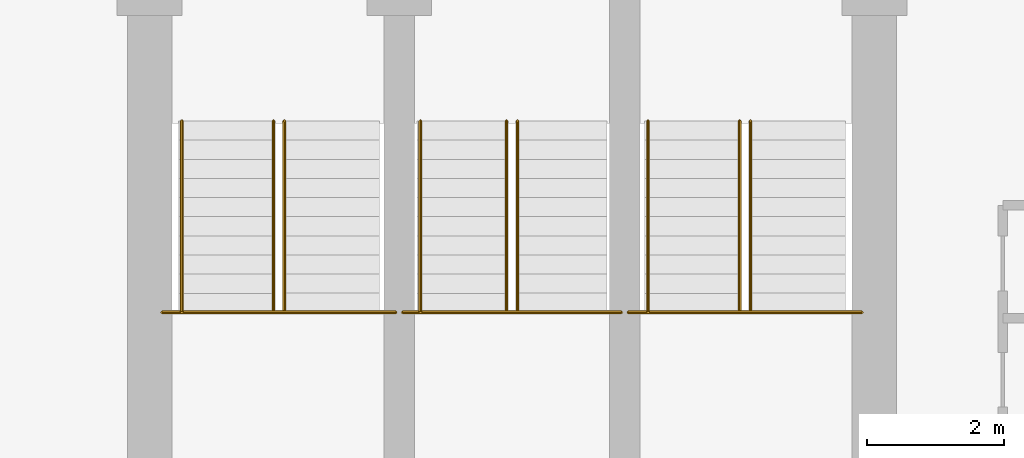
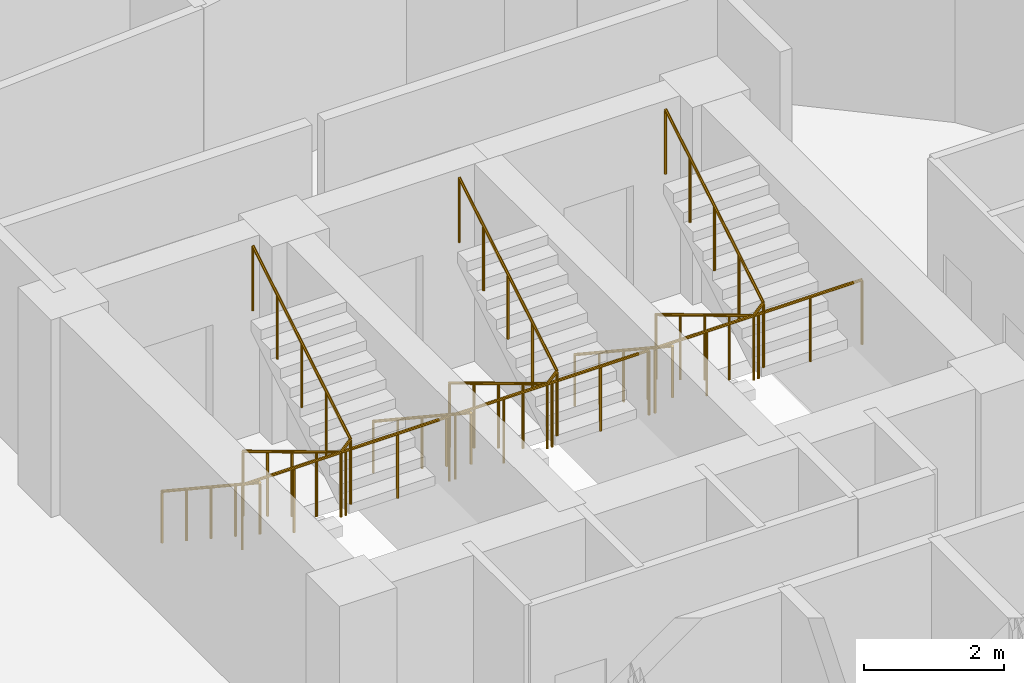
# One storey, part 26 of 26: 9 railings.
"""IFC4 building model written with IfcOpenShell, lengths in metres."""

from ifc_helpers import new_model, si_unit, direction, frame, origin, place, context, subcontext, project, spatial, polyline, outline, extrude, material, type_object, element, save


model = new_model("IFC4")

# Units and contexts
model_context = context("Model", 3, precision=1e-05, world=origin(), true_north=direction((0.0, 1.0)))
body_context = subcontext(model_context, "Body", "Model", "MODEL_VIEW")
ifc_project = project(units=[si_unit("LENGTHUNIT", "METRE"), si_unit("AREAUNIT", "SQUARE_METRE"), si_unit("VOLUMEUNIT", "CUBIC_METRE"), si_unit("PLANEANGLEUNIT", "RADIAN"), si_unit("MASSUNIT", "GRAM", prefix="KILO")], contexts=[model_context])

# Site, building, storey
site_placement = place(None, origin())
site = spatial("IfcSite", under=ifc_project, at=site_placement, CompositionType="ELEMENT")
building_placement = place(site_placement, origin())
building = spatial("IfcBuilding", under=site, at=building_placement, Name="Nuhasar Tower", CompositionType="ELEMENT")
storey_placement = place(building_placement, frame((0.0, 0.0, 136.75)))
storey = spatial("IfcBuildingStorey", under=building, at=storey_placement, Name="L32", CompositionType="ELEMENT", Elevation=136.75)

# Railings
ifc_material_1 = material(Name="Steel S355", Category="steel")
railing_type_1 = type_object("IfcRailingType", Name="RLG-STAIR-GUARD-1150", PredefinedType="GUARDRAIL", material=ifc_material_1)
railing_1_placement = place(storey_placement, frame((33.8798828125, 32.485107421875, 1.85009765625)))
element("IfcRailing", 1, at=railing_1_placement, inside=storey, type_object=railing_type_1, Name="L32 Stair ST-01 Guardrail LND", PredefinedType="GUARDRAIL", context=body_context, shape_type="SweptSolid", body=[
    extrude(outline(polyline([(0.024169921875, 0.0), (0.01708984375, 0.01708984375), (0.0, 0.024169921875), (-0.01708984375, 0.01708984375), (-0.024169921875, 0.0), (-0.01708984375, -0.01708984375), (0.0, -0.024169921875), (0.01708984375, -0.01708984375), (0.024169921875, 0.0)])), frame((0.0, 0.0, 1.1259765625), z_axis=(1.0, 0.0, 0.0), x_axis=(0.0, 1.0, 0.0)), (0.0, 0.0, 1.0), 3.420166015625),
    extrude(outline(polyline([(0.02099609375, 0.0), (0.014892578125, 0.014892578125), (0.0, 0.02099609375), (-0.014892578125, 0.014892578125), (-0.02099609375, 0.0), (-0.014892578125, -0.014892578125), (0.0, -0.02099609375), (0.014892578125, -0.014892578125), (0.02099609375, 0.0)])), origin(), (0.0, 0.0, 1.0), 1.101806640625),
    extrude(outline(polyline([(0.02099609375, 0.0), (0.014892578125, 0.014892578125), (0.0, 0.02099609375), (-0.014892578125, 0.014892578125), (-0.02099609375, 0.0), (-0.014892578125, -0.014892578125), (0.0, -0.02099609375), (0.014892578125, -0.014892578125), (0.02099609375, 0.0)])), frame((0.85498046875, 0.0, 0.0)), (0.0, 0.0, 1.0), 1.101806640625),
    extrude(outline(polyline([(0.02099609375, 0.0), (0.014892578125, 0.014892578125), (0.0, 0.02099609375), (-0.014892578125, 0.014892578125), (-0.02099609375, 0.0), (-0.014892578125, -0.014892578125), (0.0, -0.02099609375), (0.014892578125, -0.014892578125), (0.02099609375, 0.0)])), frame((1.7099609375, 0.0, 0.0)), (0.0, 0.0, 1.0), 1.101806640625),
    extrude(outline(polyline([(0.02099609375, 0.0), (0.014892578125, 0.014892578125), (0.0, 0.02099609375), (-0.014892578125, 0.014892578125), (-0.02099609375, 0.0), (-0.014892578125, -0.014892578125), (0.0, -0.02099609375), (0.014892578125, -0.014892578125), (0.02099609375, 0.0)])), frame((2.565185546875, 0.0, 0.0)), (0.0, 0.0, 1.0), 1.101806640625),
    extrude(outline(polyline([(0.02099609375, 0.0), (0.014892578125, 0.014892578125), (0.0, 0.02099609375), (-0.014892578125, 0.014892578125), (-0.02099609375, 0.0), (-0.014892578125, -0.014892578125), (0.0, -0.02099609375), (0.014892578125, -0.014892578125), (0.02099609375, 0.0)])), frame((3.420166015625, 0.0, 0.0)), (0.0, 0.0, 1.0), 1.101806640625),
])
railing_2_placement = place(storey_placement, frame((35.510009765625, 35.284912109375, 0.16796875)))
element("IfcRailing", 2, at=railing_2_placement, inside=storey, type_object=railing_type_1, Name="L32 Stair ST-01 Guardrail SLT", PredefinedType="GUARDRAIL", context=body_context, shape_type="SweptSolid", body=[
    extrude(outline(polyline([(0.024169921875, 0.0), (0.01708984375, 0.01708984375), (0.0, 0.024169921875), (-0.01708984375, 0.01708984375), (-0.024169921875, 0.0), (-0.01708984375, -0.01708984375), (0.0, -0.024169921875), (0.01708984375, -0.01708984375), (0.024169921875, 0.0)])), frame((0.0, 0.0, 1.1259765625), z_axis=(0.0, -0.857189395008, 0.515001302023), x_axis=(1.0, 0.0, 0.0)), (0.0, 0.0, 1.0), 3.266357421875),
    extrude(outline(polyline([(0.024169921875, 0.0), (0.01708984375, 0.01708984375), (0.0, 0.024169921875), (-0.01708984375, 0.01708984375), (-0.024169921875, 0.0), (-0.01708984375, -0.01708984375), (0.0, -0.024169921875), (0.01708984375, -0.01708984375), (0.024169921875, 0.0)])), frame((0.0, -2.7998046875, 2.80810546875), z_axis=(0.689523729023, 0.0, 0.72426309247), x_axis=(0.0, 1.0, 0.0)), (0.0, 0.0, 1.0), 0.23193359375),
    extrude(outline(polyline([(0.024169921875, 0.0), (0.01708984375, 0.01708984375), (0.0, 0.024169921875), (-0.01708984375, 0.01708984375), (-0.024169921875, 0.0), (-0.01708984375, -0.01708984375), (0.0, -0.024169921875), (0.01708984375, -0.01708984375), (0.024169921875, 0.0)])), frame((0.159912109375, -2.7998046875, 2.97607421875), z_axis=(0.0, 0.857222391501, 0.514946377315), x_axis=(-1.0, 0.0, 0.0)), (0.0, 0.0, 1.0), 3.26611328125),
    extrude(outline(polyline([(0.02099609375, 0.0), (0.014892578125, 0.014892578125), (0.0, 0.02099609375), (-0.014892578125, 0.014892578125), (-0.02099609375, 0.0), (-0.014892578125, -0.014892578125), (0.0, -0.02099609375), (0.014892578125, -0.014892578125), (0.02099609375, 0.0)])), origin(), (0.0, 0.0, 1.0), 1.101806640625),
    extrude(outline(polyline([(0.02099609375, 0.0), (0.014892578125, 0.014892578125), (0.0, 0.02099609375), (-0.014892578125, 0.014892578125), (-0.02099609375, 0.0), (-0.014892578125, -0.014892578125), (0.0, -0.02099609375), (0.014892578125, -0.014892578125), (0.02099609375, 0.0)])), frame((0.0, -0.699951171875, 0.42041015625)), (0.0, 0.0, 1.0), 1.101806640625),
    extrude(outline(polyline([(0.02099609375, 0.0), (0.014892578125, 0.014892578125), (0.0, 0.02099609375), (-0.014892578125, 0.014892578125), (-0.02099609375, 0.0), (-0.014892578125, -0.014892578125), (0.0, -0.02099609375), (0.014892578125, -0.014892578125), (0.02099609375, 0.0)])), frame((0.0, -1.39990234375, 0.841064453125)), (0.0, 0.0, 1.0), 1.101806640625),
    extrude(outline(polyline([(0.02099609375, 0.0), (0.014892578125, 0.014892578125), (0.0, 0.02099609375), (-0.014892578125, 0.014892578125), (-0.02099609375, 0.0), (-0.014892578125, -0.014892578125), (0.0, -0.02099609375), (0.014892578125, -0.014892578125), (0.02099609375, 0.0)])), frame((0.0, -2.099853515625, 1.26171875)), (0.0, 0.0, 1.0), 1.101806640625),
    extrude(outline(polyline([(0.02099609375, 0.0), (0.014892578125, 0.014892578125), (0.0, 0.02099609375), (-0.014892578125, 0.014892578125), (-0.02099609375, 0.0), (-0.014892578125, -0.014892578125), (0.0, -0.02099609375), (0.014892578125, -0.014892578125), (0.02099609375, 0.0)])), frame((0.0, -2.7998046875, 1.68212890625)), (0.0, 0.0, 1.0), 1.101806640625),
    extrude(outline(polyline([(0.02099609375, 0.0), (0.014892578125, 0.014892578125), (0.0, 0.02099609375), (-0.014892578125, 0.014892578125), (-0.02099609375, 0.0), (-0.014892578125, -0.014892578125), (0.0, -0.02099609375), (0.014892578125, -0.014892578125), (0.02099609375, 0.0)])), frame((0.159912109375, -2.7998046875, 1.85009765625)), (0.0, 0.0, 1.0), 1.101806640625),
    extrude(outline(polyline([(0.02099609375, 0.0), (0.014892578125, 0.014892578125), (0.0, 0.02099609375), (-0.014892578125, 0.014892578125), (-0.02099609375, 0.0), (-0.014892578125, -0.014892578125), (0.0, -0.02099609375), (0.014892578125, -0.014892578125), (0.02099609375, 0.0)])), frame((0.159912109375, -2.099853515625, 2.2705078125)), (0.0, 0.0, 1.0), 1.101806640625),
    extrude(outline(polyline([(0.02099609375, 0.0), (0.014892578125, 0.014892578125), (0.0, 0.02099609375), (-0.014892578125, 0.014892578125), (-0.02099609375, 0.0), (-0.014892578125, -0.014892578125), (0.0, -0.02099609375), (0.014892578125, -0.014892578125), (0.02099609375, 0.0)])), frame((0.159912109375, -1.39990234375, 2.69091796875)), (0.0, 0.0, 1.0), 1.101806640625),
    extrude(outline(polyline([(0.02099609375, 0.0), (0.014892578125, 0.014892578125), (0.0, 0.02099609375), (-0.014892578125, 0.014892578125), (-0.02099609375, 0.0), (-0.014892578125, -0.014892578125), (0.0, -0.02099609375), (0.014892578125, -0.014892578125), (0.02099609375, 0.0)])), frame((0.159912109375, -0.699951171875, 3.111572265625)), (0.0, 0.0, 1.0), 1.101806640625),
    extrude(outline(polyline([(0.02099609375, 0.0), (0.014892578125, 0.014892578125), (0.0, 0.02099609375), (-0.014892578125, 0.014892578125), (-0.02099609375, 0.0), (-0.014892578125, -0.014892578125), (0.0, -0.02099609375), (0.014892578125, -0.014892578125), (0.02099609375, 0.0)])), frame((0.159912109375, 0.0, 3.531982421875)), (0.0, 0.0, 1.0), 1.101806640625),
])
railing_3_placement = place(storey_placement, frame((37.39990234375, 32.485107421875, 1.85009765625)))
element("IfcRailing", 3, at=railing_3_placement, inside=storey, type_object=railing_type_1, Name="L32 Stair ST-03 Guardrail LND", PredefinedType="GUARDRAIL", context=body_context, shape_type="SweptSolid", body=[
    extrude(outline(polyline([(0.024169921875, 0.0), (0.01708984375, 0.01708984375), (0.0, 0.024169921875), (-0.01708984375, 0.01708984375), (-0.024169921875, 0.0), (-0.01708984375, -0.01708984375), (0.0, -0.024169921875), (0.01708984375, -0.01708984375), (0.024169921875, 0.0)])), frame((0.0, 0.0, 1.1259765625), z_axis=(1.0, 0.0, 0.0), x_axis=(0.0, 1.0, 0.0)), (0.0, 0.0, 1.0), 3.2001953125),
    extrude(outline(polyline([(0.02099609375, 0.0), (0.014892578125, 0.014892578125), (0.0, 0.02099609375), (-0.014892578125, 0.014892578125), (-0.02099609375, 0.0), (-0.014892578125, -0.014892578125), (0.0, -0.02099609375), (0.014892578125, -0.014892578125), (0.02099609375, 0.0)])), origin(), (0.0, 0.0, 1.0), 1.101806640625),
    extrude(outline(polyline([(0.02099609375, 0.0), (0.014892578125, 0.014892578125), (0.0, 0.02099609375), (-0.014892578125, 0.014892578125), (-0.02099609375, 0.0), (-0.014892578125, -0.014892578125), (0.0, -0.02099609375), (0.014892578125, -0.014892578125), (0.02099609375, 0.0)])), frame((0.800048828125, 0.0, 0.0)), (0.0, 0.0, 1.0), 1.101806640625),
    extrude(outline(polyline([(0.02099609375, 0.0), (0.014892578125, 0.014892578125), (0.0, 0.02099609375), (-0.014892578125, 0.014892578125), (-0.02099609375, 0.0), (-0.014892578125, -0.014892578125), (0.0, -0.02099609375), (0.014892578125, -0.014892578125), (0.02099609375, 0.0)])), frame((1.60009765625, 0.0, 0.0)), (0.0, 0.0, 1.0), 1.101806640625),
    extrude(outline(polyline([(0.02099609375, 0.0), (0.014892578125, 0.014892578125), (0.0, 0.02099609375), (-0.014892578125, 0.014892578125), (-0.02099609375, 0.0), (-0.014892578125, -0.014892578125), (0.0, -0.02099609375), (0.014892578125, -0.014892578125), (0.02099609375, 0.0)])), frame((2.400146484375, 0.0, 0.0)), (0.0, 0.0, 1.0), 1.101806640625),
    extrude(outline(polyline([(0.02099609375, 0.0), (0.014892578125, 0.014892578125), (0.0, 0.02099609375), (-0.014892578125, 0.014892578125), (-0.02099609375, 0.0), (-0.014892578125, -0.014892578125), (0.0, -0.02099609375), (0.014892578125, -0.014892578125), (0.02099609375, 0.0)])), frame((3.2001953125, 0.0, 0.0)), (0.0, 0.0, 1.0), 1.101806640625),
])
railing_4_placement = place(storey_placement, frame((38.919921875, 35.284912109375, 0.16796875)))
element("IfcRailing", 4, at=railing_4_placement, inside=storey, type_object=railing_type_1, Name="L32 Stair ST-03 Guardrail SLT", PredefinedType="GUARDRAIL", context=body_context, shape_type="SweptSolid", body=[
    extrude(outline(polyline([(0.024169921875, 0.0), (0.01708984375, 0.01708984375), (0.0, 0.024169921875), (-0.01708984375, 0.01708984375), (-0.024169921875, 0.0), (-0.01708984375, -0.01708984375), (0.0, -0.024169921875), (0.01708984375, -0.01708984375), (0.024169921875, 0.0)])), frame((0.0, 0.0, 1.1259765625), z_axis=(0.0, -0.857189395008, 0.515001302023), x_axis=(1.0, 0.0, 0.0)), (0.0, 0.0, 1.0), 3.266357421875),
    extrude(outline(polyline([(0.024169921875, 0.0), (0.01708984375, 0.01708984375), (0.0, 0.024169921875), (-0.01708984375, 0.01708984375), (-0.024169921875, 0.0), (-0.01708984375, -0.01708984375), (0.0, -0.024169921875), (0.01708984375, -0.01708984375), (0.024169921875, 0.0)])), frame((0.0, -2.7998046875, 2.80810546875), z_axis=(0.690075333573, 0.0, 0.723737544967), x_axis=(0.0, 1.0, 0.0)), (0.0, 0.0, 1.0), 0.232177734375),
    extrude(outline(polyline([(0.024169921875, 0.0), (0.01708984375, 0.01708984375), (0.0, 0.024169921875), (-0.01708984375, 0.01708984375), (-0.024169921875, 0.0), (-0.01708984375, -0.01708984375), (0.0, -0.024169921875), (0.01708984375, -0.01708984375), (0.024169921875, 0.0)])), frame((0.16015625, -2.7998046875, 2.97607421875), z_axis=(0.0, 0.857222391501, 0.514946377315), x_axis=(-1.0, 0.0, 0.0)), (0.0, 0.0, 1.0), 3.26611328125),
    extrude(outline(polyline([(0.02099609375, 0.0), (0.014892578125, 0.014892578125), (0.0, 0.02099609375), (-0.014892578125, 0.014892578125), (-0.02099609375, 0.0), (-0.014892578125, -0.014892578125), (0.0, -0.02099609375), (0.014892578125, -0.014892578125), (0.02099609375, 0.0)])), origin(), (0.0, 0.0, 1.0), 1.101806640625),
    extrude(outline(polyline([(0.02099609375, 0.0), (0.014892578125, 0.014892578125), (0.0, 0.02099609375), (-0.014892578125, 0.014892578125), (-0.02099609375, 0.0), (-0.014892578125, -0.014892578125), (0.0, -0.02099609375), (0.014892578125, -0.014892578125), (0.02099609375, 0.0)])), frame((0.0, -0.699951171875, 0.42041015625)), (0.0, 0.0, 1.0), 1.101806640625),
    extrude(outline(polyline([(0.02099609375, 0.0), (0.014892578125, 0.014892578125), (0.0, 0.02099609375), (-0.014892578125, 0.014892578125), (-0.02099609375, 0.0), (-0.014892578125, -0.014892578125), (0.0, -0.02099609375), (0.014892578125, -0.014892578125), (0.02099609375, 0.0)])), frame((0.0, -1.39990234375, 0.841064453125)), (0.0, 0.0, 1.0), 1.101806640625),
    extrude(outline(polyline([(0.02099609375, 0.0), (0.014892578125, 0.014892578125), (0.0, 0.02099609375), (-0.014892578125, 0.014892578125), (-0.02099609375, 0.0), (-0.014892578125, -0.014892578125), (0.0, -0.02099609375), (0.014892578125, -0.014892578125), (0.02099609375, 0.0)])), frame((0.0, -2.099853515625, 1.26171875)), (0.0, 0.0, 1.0), 1.101806640625),
    extrude(outline(polyline([(0.02099609375, 0.0), (0.014892578125, 0.014892578125), (0.0, 0.02099609375), (-0.014892578125, 0.014892578125), (-0.02099609375, 0.0), (-0.014892578125, -0.014892578125), (0.0, -0.02099609375), (0.014892578125, -0.014892578125), (0.02099609375, 0.0)])), frame((0.0, -2.7998046875, 1.68212890625)), (0.0, 0.0, 1.0), 1.101806640625),
    extrude(outline(polyline([(0.02099609375, 0.0), (0.014892578125, 0.014892578125), (0.0, 0.02099609375), (-0.014892578125, 0.014892578125), (-0.02099609375, 0.0), (-0.014892578125, -0.014892578125), (0.0, -0.02099609375), (0.014892578125, -0.014892578125), (0.02099609375, 0.0)])), frame((0.16015625, -2.7998046875, 1.85009765625)), (0.0, 0.0, 1.0), 1.101806640625),
    extrude(outline(polyline([(0.02099609375, 0.0), (0.014892578125, 0.014892578125), (0.0, 0.02099609375), (-0.014892578125, 0.014892578125), (-0.02099609375, 0.0), (-0.014892578125, -0.014892578125), (0.0, -0.02099609375), (0.014892578125, -0.014892578125), (0.02099609375, 0.0)])), frame((0.16015625, -2.099853515625, 2.2705078125)), (0.0, 0.0, 1.0), 1.101806640625),
    extrude(outline(polyline([(0.02099609375, 0.0), (0.014892578125, 0.014892578125), (0.0, 0.02099609375), (-0.014892578125, 0.014892578125), (-0.02099609375, 0.0), (-0.014892578125, -0.014892578125), (0.0, -0.02099609375), (0.014892578125, -0.014892578125), (0.02099609375, 0.0)])), frame((0.16015625, -1.39990234375, 2.69091796875)), (0.0, 0.0, 1.0), 1.101806640625),
    extrude(outline(polyline([(0.02099609375, 0.0), (0.014892578125, 0.014892578125), (0.0, 0.02099609375), (-0.014892578125, 0.014892578125), (-0.02099609375, 0.0), (-0.014892578125, -0.014892578125), (0.0, -0.02099609375), (0.014892578125, -0.014892578125), (0.02099609375, 0.0)])), frame((0.16015625, -0.699951171875, 3.111572265625)), (0.0, 0.0, 1.0), 1.101806640625),
    extrude(outline(polyline([(0.02099609375, 0.0), (0.014892578125, 0.014892578125), (0.0, 0.02099609375), (-0.014892578125, 0.014892578125), (-0.02099609375, 0.0), (-0.014892578125, -0.014892578125), (0.0, -0.02099609375), (0.014892578125, -0.014892578125), (0.02099609375, 0.0)])), frame((0.16015625, 0.0, 3.531982421875)), (0.0, 0.0, 1.0), 1.101806640625),
])
railing_5_placement = place(storey_placement, frame((40.699951171875, 32.485107421875, 1.85009765625)))
element("IfcRailing", 5, at=railing_5_placement, inside=storey, type_object=railing_type_1, Name="L32 Stair ST-02 Guardrail LND", PredefinedType="GUARDRAIL", context=body_context, shape_type="SweptSolid", body=[
    extrude(outline(polyline([(0.024169921875, 0.0), (0.01708984375, 0.01708984375), (0.0, 0.024169921875), (-0.01708984375, 0.01708984375), (-0.024169921875, 0.0), (-0.01708984375, -0.01708984375), (0.0, -0.024169921875), (0.01708984375, -0.01708984375), (0.024169921875, 0.0)])), frame((0.0, 0.0, 1.1259765625), z_axis=(1.0, 0.0, 0.0), x_axis=(0.0, 1.0, 0.0)), (0.0, 0.0, 1.0), 3.420166015625),
    extrude(outline(polyline([(0.02099609375, 0.0), (0.014892578125, 0.014892578125), (0.0, 0.02099609375), (-0.014892578125, 0.014892578125), (-0.02099609375, 0.0), (-0.014892578125, -0.014892578125), (0.0, -0.02099609375), (0.014892578125, -0.014892578125), (0.02099609375, 0.0)])), origin(), (0.0, 0.0, 1.0), 1.101806640625),
    extrude(outline(polyline([(0.02099609375, 0.0), (0.014892578125, 0.014892578125), (0.0, 0.02099609375), (-0.014892578125, 0.014892578125), (-0.02099609375, 0.0), (-0.014892578125, -0.014892578125), (0.0, -0.02099609375), (0.014892578125, -0.014892578125), (0.02099609375, 0.0)])), frame((0.85498046875, 0.0, 0.0)), (0.0, 0.0, 1.0), 1.101806640625),
    extrude(outline(polyline([(0.02099609375, 0.0), (0.014892578125, 0.014892578125), (0.0, 0.02099609375), (-0.014892578125, 0.014892578125), (-0.02099609375, 0.0), (-0.014892578125, -0.014892578125), (0.0, -0.02099609375), (0.014892578125, -0.014892578125), (0.02099609375, 0.0)])), frame((1.7099609375, 0.0, 0.0)), (0.0, 0.0, 1.0), 1.101806640625),
    extrude(outline(polyline([(0.02099609375, 0.0), (0.014892578125, 0.014892578125), (0.0, 0.02099609375), (-0.014892578125, 0.014892578125), (-0.02099609375, 0.0), (-0.014892578125, -0.014892578125), (0.0, -0.02099609375), (0.014892578125, -0.014892578125), (0.02099609375, 0.0)])), frame((2.565185546875, 0.0, 0.0)), (0.0, 0.0, 1.0), 1.101806640625),
    extrude(outline(polyline([(0.02099609375, 0.0), (0.014892578125, 0.014892578125), (0.0, 0.02099609375), (-0.014892578125, 0.014892578125), (-0.02099609375, 0.0), (-0.014892578125, -0.014892578125), (0.0, -0.02099609375), (0.014892578125, -0.014892578125), (0.02099609375, 0.0)])), frame((3.420166015625, 0.0, 0.0)), (0.0, 0.0, 1.0), 1.101806640625),
])
railing_6_placement = place(storey_placement, frame((42.330078125, 35.284912109375, 0.16796875)))
element("IfcRailing", 6, at=railing_6_placement, inside=storey, type_object=railing_type_1, Name="L32 Stair ST-02 Guardrail SLT", PredefinedType="GUARDRAIL", context=body_context, shape_type="SweptSolid", body=[
    extrude(outline(polyline([(0.024169921875, 0.0), (0.01708984375, 0.01708984375), (0.0, 0.024169921875), (-0.01708984375, 0.01708984375), (-0.024169921875, 0.0), (-0.01708984375, -0.01708984375), (0.0, -0.024169921875), (0.01708984375, -0.01708984375), (0.024169921875, 0.0)])), frame((0.0, 0.0, 1.1259765625), z_axis=(0.0, -0.857189395008, 0.515001302023), x_axis=(1.0, 0.0, 0.0)), (0.0, 0.0, 1.0), 3.266357421875),
    extrude(outline(polyline([(0.024169921875, 0.0), (0.01708984375, 0.01708984375), (0.0, 0.024169921875), (-0.01708984375, 0.01708984375), (-0.024169921875, 0.0), (-0.01708984375, -0.01708984375), (0.0, -0.024169921875), (0.01708984375, -0.01708984375), (0.024169921875, 0.0)])), frame((0.0, -2.7998046875, 2.80810546875), z_axis=(0.689523729023, 0.0, 0.72426309247), x_axis=(0.0, 1.0, 0.0)), (0.0, 0.0, 1.0), 0.23193359375),
    extrude(outline(polyline([(0.024169921875, 0.0), (0.01708984375, 0.01708984375), (0.0, 0.024169921875), (-0.01708984375, 0.01708984375), (-0.024169921875, 0.0), (-0.01708984375, -0.01708984375), (0.0, -0.024169921875), (0.01708984375, -0.01708984375), (0.024169921875, 0.0)])), frame((0.159912109375, -2.7998046875, 2.97607421875), z_axis=(0.0, 0.857222391501, 0.514946377315), x_axis=(-1.0, 0.0, 0.0)), (0.0, 0.0, 1.0), 3.26611328125),
    extrude(outline(polyline([(0.02099609375, 0.0), (0.014892578125, 0.014892578125), (0.0, 0.02099609375), (-0.014892578125, 0.014892578125), (-0.02099609375, 0.0), (-0.014892578125, -0.014892578125), (0.0, -0.02099609375), (0.014892578125, -0.014892578125), (0.02099609375, 0.0)])), origin(), (0.0, 0.0, 1.0), 1.101806640625),
    extrude(outline(polyline([(0.02099609375, 0.0), (0.014892578125, 0.014892578125), (0.0, 0.02099609375), (-0.014892578125, 0.014892578125), (-0.02099609375, 0.0), (-0.014892578125, -0.014892578125), (0.0, -0.02099609375), (0.014892578125, -0.014892578125), (0.02099609375, 0.0)])), frame((0.0, -0.699951171875, 0.42041015625)), (0.0, 0.0, 1.0), 1.101806640625),
    extrude(outline(polyline([(0.02099609375, 0.0), (0.014892578125, 0.014892578125), (0.0, 0.02099609375), (-0.014892578125, 0.014892578125), (-0.02099609375, 0.0), (-0.014892578125, -0.014892578125), (0.0, -0.02099609375), (0.014892578125, -0.014892578125), (0.02099609375, 0.0)])), frame((0.0, -1.39990234375, 0.841064453125)), (0.0, 0.0, 1.0), 1.101806640625),
    extrude(outline(polyline([(0.02099609375, 0.0), (0.014892578125, 0.014892578125), (0.0, 0.02099609375), (-0.014892578125, 0.014892578125), (-0.02099609375, 0.0), (-0.014892578125, -0.014892578125), (0.0, -0.02099609375), (0.014892578125, -0.014892578125), (0.02099609375, 0.0)])), frame((0.0, -2.099853515625, 1.26171875)), (0.0, 0.0, 1.0), 1.101806640625),
    extrude(outline(polyline([(0.02099609375, 0.0), (0.014892578125, 0.014892578125), (0.0, 0.02099609375), (-0.014892578125, 0.014892578125), (-0.02099609375, 0.0), (-0.014892578125, -0.014892578125), (0.0, -0.02099609375), (0.014892578125, -0.014892578125), (0.02099609375, 0.0)])), frame((0.0, -2.7998046875, 1.68212890625)), (0.0, 0.0, 1.0), 1.101806640625),
    extrude(outline(polyline([(0.02099609375, 0.0), (0.014892578125, 0.014892578125), (0.0, 0.02099609375), (-0.014892578125, 0.014892578125), (-0.02099609375, 0.0), (-0.014892578125, -0.014892578125), (0.0, -0.02099609375), (0.014892578125, -0.014892578125), (0.02099609375, 0.0)])), frame((0.159912109375, -2.7998046875, 1.85009765625)), (0.0, 0.0, 1.0), 1.101806640625),
    extrude(outline(polyline([(0.02099609375, 0.0), (0.014892578125, 0.014892578125), (0.0, 0.02099609375), (-0.014892578125, 0.014892578125), (-0.02099609375, 0.0), (-0.014892578125, -0.014892578125), (0.0, -0.02099609375), (0.014892578125, -0.014892578125), (0.02099609375, 0.0)])), frame((0.159912109375, -2.099853515625, 2.2705078125)), (0.0, 0.0, 1.0), 1.101806640625),
    extrude(outline(polyline([(0.02099609375, 0.0), (0.014892578125, 0.014892578125), (0.0, 0.02099609375), (-0.014892578125, 0.014892578125), (-0.02099609375, 0.0), (-0.014892578125, -0.014892578125), (0.0, -0.02099609375), (0.014892578125, -0.014892578125), (0.02099609375, 0.0)])), frame((0.159912109375, -1.39990234375, 2.69091796875)), (0.0, 0.0, 1.0), 1.101806640625),
    extrude(outline(polyline([(0.02099609375, 0.0), (0.014892578125, 0.014892578125), (0.0, 0.02099609375), (-0.014892578125, 0.014892578125), (-0.02099609375, 0.0), (-0.014892578125, -0.014892578125), (0.0, -0.02099609375), (0.014892578125, -0.014892578125), (0.02099609375, 0.0)])), frame((0.159912109375, -0.699951171875, 3.111572265625)), (0.0, 0.0, 1.0), 1.101806640625),
    extrude(outline(polyline([(0.02099609375, 0.0), (0.014892578125, 0.014892578125), (0.0, 0.02099609375), (-0.014892578125, 0.014892578125), (-0.02099609375, 0.0), (-0.014892578125, -0.014892578125), (0.0, -0.02099609375), (0.014892578125, -0.014892578125), (0.02099609375, 0.0)])), frame((0.159912109375, 0.0, 3.531982421875)), (0.0, 0.0, 1.0), 1.101806640625),
])
ifc_material_2 = material(Name="Stainless Steel 316L", Category="steel")
railing_type_2 = type_object("IfcRailingType", Name="RLG-STAIR-HAND-920", PredefinedType="HANDRAIL", material=ifc_material_2)
railing_7_placement = place(storey_placement, frame((34.169921875, 35.284912109375, 0.16796875)))
element("IfcRailing", 7, at=railing_7_placement, inside=storey, type_object=railing_type_2, Name="L32 Stair ST-01 Handrail HND1", PredefinedType="HANDRAIL", context=body_context, shape_type="SweptSolid", body=[
    extrude(outline(polyline([(0.024169921875, 0.0), (0.01708984375, 0.01708984375), (0.0, 0.024169921875), (-0.01708984375, 0.01708984375), (-0.024169921875, 0.0), (-0.01708984375, -0.01708984375), (0.0, -0.024169921875), (0.01708984375, -0.01708984375), (0.024169921875, 0.0)])), frame((0.0, 0.0, 0.89599609375), z_axis=(0.0, -0.834304248922, 0.551304290053), x_axis=(1.0, 0.0, 0.0)), (0.0, 0.0, 1.0), 3.35595703125),
    extrude(outline(polyline([(0.02099609375, 0.0), (0.014892578125, 0.014892578125), (0.0, 0.02099609375), (-0.014892578125, 0.014892578125), (-0.02099609375, 0.0), (-0.014892578125, -0.014892578125), (0.0, -0.02099609375), (0.014892578125, -0.014892578125), (0.02099609375, 0.0)])), origin(), (0.0, 0.0, 1.0), 0.871826171875),
    extrude(outline(polyline([(0.02099609375, 0.0), (0.014892578125, 0.014892578125), (0.0, 0.02099609375), (-0.014892578125, 0.014892578125), (-0.02099609375, 0.0), (-0.014892578125, -0.014892578125), (0.0, -0.02099609375), (0.014892578125, -0.014892578125), (0.02099609375, 0.0)])), frame((0.0, -0.699951171875, 0.46240234375)), (0.0, 0.0, 1.0), 0.871826171875),
    extrude(outline(polyline([(0.02099609375, 0.0), (0.014892578125, 0.014892578125), (0.0, 0.02099609375), (-0.014892578125, 0.014892578125), (-0.02099609375, 0.0), (-0.014892578125, -0.014892578125), (0.0, -0.02099609375), (0.014892578125, -0.014892578125), (0.02099609375, 0.0)])), frame((0.0, -1.39990234375, 0.925048828125)), (0.0, 0.0, 1.0), 0.871826171875),
    extrude(outline(polyline([(0.02099609375, 0.0), (0.014892578125, 0.014892578125), (0.0, 0.02099609375), (-0.014892578125, 0.014892578125), (-0.02099609375, 0.0), (-0.014892578125, -0.014892578125), (0.0, -0.02099609375), (0.014892578125, -0.014892578125), (0.02099609375, 0.0)])), frame((0.0, -2.099853515625, 1.3876953125)), (0.0, 0.0, 1.0), 0.871826171875),
    extrude(outline(polyline([(0.02099609375, 0.0), (0.014892578125, 0.014892578125), (0.0, 0.02099609375), (-0.014892578125, 0.014892578125), (-0.02099609375, 0.0), (-0.014892578125, -0.014892578125), (0.0, -0.02099609375), (0.014892578125, -0.014892578125), (0.02099609375, 0.0)])), frame((0.0, -2.7998046875, 1.85009765625)), (0.0, 0.0, 1.0), 0.871826171875),
])
railing_8_placement = place(storey_placement, frame((37.659912109375, 35.284912109375, 0.16796875)))
element("IfcRailing", 8, at=railing_8_placement, inside=storey, type_object=railing_type_2, Name="L32 Stair ST-03 Handrail HND1", PredefinedType="HANDRAIL", context=body_context, shape_type="SweptSolid", body=[
    extrude(outline(polyline([(0.024169921875, 0.0), (0.01708984375, 0.01708984375), (0.0, 0.024169921875), (-0.01708984375, 0.01708984375), (-0.024169921875, 0.0), (-0.01708984375, -0.01708984375), (0.0, -0.024169921875), (0.01708984375, -0.01708984375), (0.024169921875, 0.0)])), frame((0.0, 0.0, 0.89599609375), z_axis=(0.0, -0.834304248922, 0.551304290053), x_axis=(1.0, 0.0, 0.0)), (0.0, 0.0, 1.0), 3.35595703125),
    extrude(outline(polyline([(0.02099609375, 0.0), (0.014892578125, 0.014892578125), (0.0, 0.02099609375), (-0.014892578125, 0.014892578125), (-0.02099609375, 0.0), (-0.014892578125, -0.014892578125), (0.0, -0.02099609375), (0.014892578125, -0.014892578125), (0.02099609375, 0.0)])), origin(), (0.0, 0.0, 1.0), 0.871826171875),
    extrude(outline(polyline([(0.02099609375, 0.0), (0.014892578125, 0.014892578125), (0.0, 0.02099609375), (-0.014892578125, 0.014892578125), (-0.02099609375, 0.0), (-0.014892578125, -0.014892578125), (0.0, -0.02099609375), (0.014892578125, -0.014892578125), (0.02099609375, 0.0)])), frame((0.0, -0.699951171875, 0.46240234375)), (0.0, 0.0, 1.0), 0.871826171875),
    extrude(outline(polyline([(0.02099609375, 0.0), (0.014892578125, 0.014892578125), (0.0, 0.02099609375), (-0.014892578125, 0.014892578125), (-0.02099609375, 0.0), (-0.014892578125, -0.014892578125), (0.0, -0.02099609375), (0.014892578125, -0.014892578125), (0.02099609375, 0.0)])), frame((0.0, -1.39990234375, 0.925048828125)), (0.0, 0.0, 1.0), 0.871826171875),
    extrude(outline(polyline([(0.02099609375, 0.0), (0.014892578125, 0.014892578125), (0.0, 0.02099609375), (-0.014892578125, 0.014892578125), (-0.02099609375, 0.0), (-0.014892578125, -0.014892578125), (0.0, -0.02099609375), (0.014892578125, -0.014892578125), (0.02099609375, 0.0)])), frame((0.0, -2.099853515625, 1.3876953125)), (0.0, 0.0, 1.0), 0.871826171875),
    extrude(outline(polyline([(0.02099609375, 0.0), (0.014892578125, 0.014892578125), (0.0, 0.02099609375), (-0.014892578125, 0.014892578125), (-0.02099609375, 0.0), (-0.014892578125, -0.014892578125), (0.0, -0.02099609375), (0.014892578125, -0.014892578125), (0.02099609375, 0.0)])), frame((0.0, -2.7998046875, 1.85009765625)), (0.0, 0.0, 1.0), 0.871826171875),
])
railing_9_placement = place(storey_placement, frame((40.989990234375, 35.284912109375, 0.16796875)))
element("IfcRailing", 9, at=railing_9_placement, inside=storey, type_object=railing_type_2, Name="L32 Stair ST-02 Handrail HND1", PredefinedType="HANDRAIL", context=body_context, shape_type="SweptSolid", body=[
    extrude(outline(polyline([(0.024169921875, 0.0), (0.01708984375, 0.01708984375), (0.0, 0.024169921875), (-0.01708984375, 0.01708984375), (-0.024169921875, 0.0), (-0.01708984375, -0.01708984375), (0.0, -0.024169921875), (0.01708984375, -0.01708984375), (0.024169921875, 0.0)])), frame((0.0, 0.0, 0.89599609375), z_axis=(0.0, -0.834304248922, 0.551304290053), x_axis=(1.0, 0.0, 0.0)), (0.0, 0.0, 1.0), 3.35595703125),
    extrude(outline(polyline([(0.02099609375, 0.0), (0.014892578125, 0.014892578125), (0.0, 0.02099609375), (-0.014892578125, 0.014892578125), (-0.02099609375, 0.0), (-0.014892578125, -0.014892578125), (0.0, -0.02099609375), (0.014892578125, -0.014892578125), (0.02099609375, 0.0)])), origin(), (0.0, 0.0, 1.0), 0.871826171875),
    extrude(outline(polyline([(0.02099609375, 0.0), (0.014892578125, 0.014892578125), (0.0, 0.02099609375), (-0.014892578125, 0.014892578125), (-0.02099609375, 0.0), (-0.014892578125, -0.014892578125), (0.0, -0.02099609375), (0.014892578125, -0.014892578125), (0.02099609375, 0.0)])), frame((0.0, -0.699951171875, 0.46240234375)), (0.0, 0.0, 1.0), 0.871826171875),
    extrude(outline(polyline([(0.02099609375, 0.0), (0.014892578125, 0.014892578125), (0.0, 0.02099609375), (-0.014892578125, 0.014892578125), (-0.02099609375, 0.0), (-0.014892578125, -0.014892578125), (0.0, -0.02099609375), (0.014892578125, -0.014892578125), (0.02099609375, 0.0)])), frame((0.0, -1.39990234375, 0.925048828125)), (0.0, 0.0, 1.0), 0.871826171875),
    extrude(outline(polyline([(0.02099609375, 0.0), (0.014892578125, 0.014892578125), (0.0, 0.02099609375), (-0.014892578125, 0.014892578125), (-0.02099609375, 0.0), (-0.014892578125, -0.014892578125), (0.0, -0.02099609375), (0.014892578125, -0.014892578125), (0.02099609375, 0.0)])), frame((0.0, -2.099853515625, 1.3876953125)), (0.0, 0.0, 1.0), 0.871826171875),
    extrude(outline(polyline([(0.02099609375, 0.0), (0.014892578125, 0.014892578125), (0.0, 0.02099609375), (-0.014892578125, 0.014892578125), (-0.02099609375, 0.0), (-0.014892578125, -0.014892578125), (0.0, -0.02099609375), (0.014892578125, -0.014892578125), (0.02099609375, 0.0)])), frame((0.0, -2.7998046875, 1.85009765625)), (0.0, 0.0, 1.0), 0.871826171875),
])

save(model, "model.ifc")
